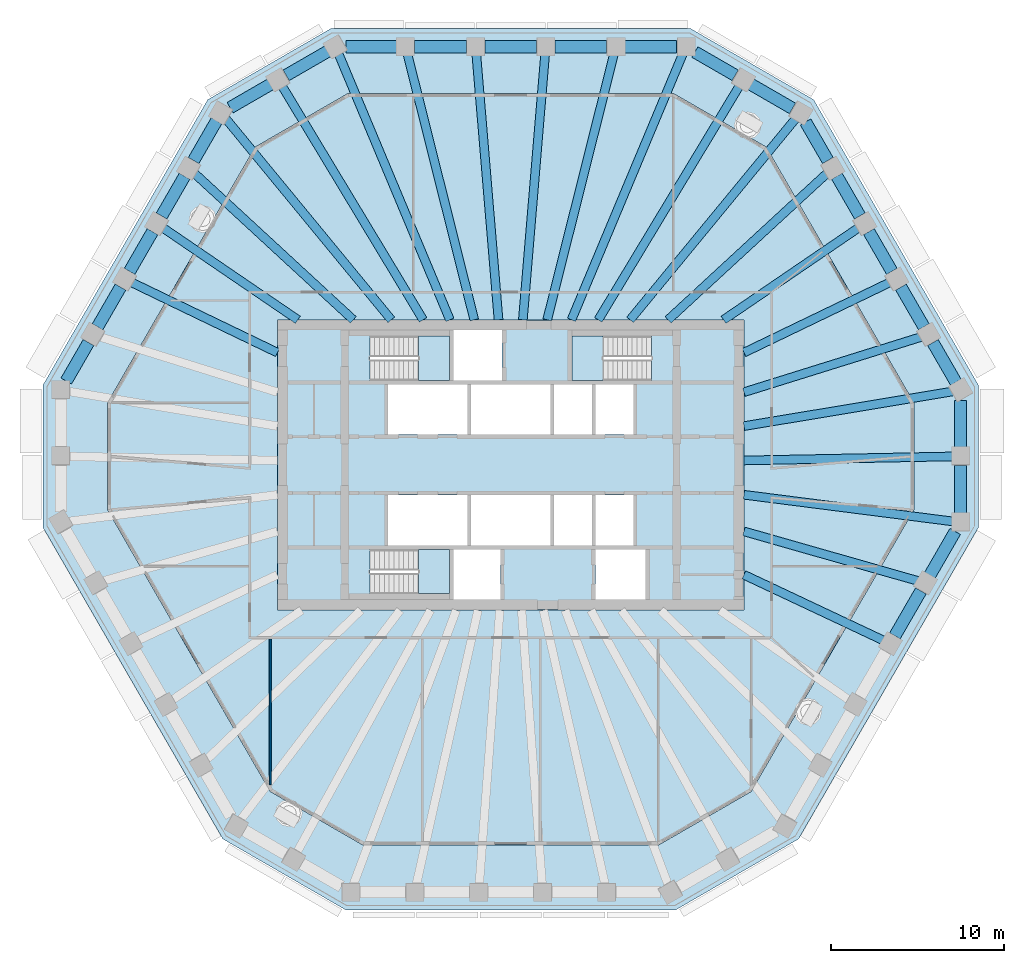
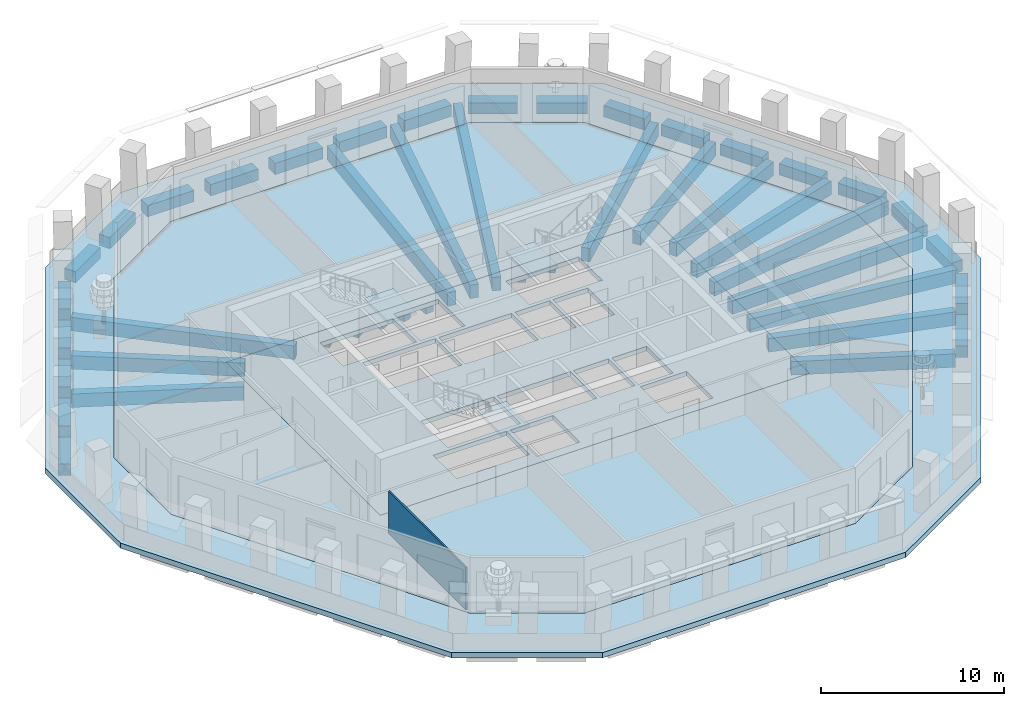
# One storey, part 2 of 12: 45 beams, 6 slabs, 1 wall, 3 elements without a shape of their own.
"""IFC4 building model written with IfcOpenShell, lengths in metres."""

from ifc_helpers import new_model, si_unit, direction, frame, frame_2d, origin, origin_2d, place, context, subcontext, project, spatial, polyline, rectangle, outline, extrude, material, layer, layer_set, material_profile, profile_set, type_object, element, aggregate, save


model = new_model("IFC4")

# Units and contexts
model_context = context("Model", 3, precision=1e-05, world=origin(), true_north=direction((0.0, 1.0)))
body_context = subcontext(model_context, "Body", "Model", "MODEL_VIEW")
ifc_project = project(units=[si_unit("LENGTHUNIT", "METRE"), si_unit("AREAUNIT", "SQUARE_METRE"), si_unit("VOLUMEUNIT", "CUBIC_METRE"), si_unit("PLANEANGLEUNIT", "RADIAN"), si_unit("MASSUNIT", "GRAM", prefix="KILO")], contexts=[model_context])

# Site, building, storey
site_placement = place(None, origin())
site = spatial("IfcSite", under=ifc_project, at=site_placement, CompositionType="ELEMENT")
building_placement = place(site_placement, origin())
building = spatial("IfcBuilding", under=site, at=building_placement, Name="Frailejon Research Tower", CompositionType="ELEMENT")
storey_placement = place(building_placement, frame((0.0, 0.0, 227.39990234375)))
storey = spatial("IfcBuildingStorey", under=building, at=storey_placement, Name="L49", CompositionType="ELEMENT", Elevation=227.39990234375)

# Beams
ifc_material_1 = material(Name="Concrete C60/75", Category="concrete")
ifc_material_profile_1 = material_profile(ifc_material_1, rectangle(XDim=0.5, YDim=0.89990234375, at=origin_2d()), Name="Girder 500x900")
ifc_profile_set_1 = profile_set([ifc_material_profile_1], Name="Concrete C60/75")
beam_type_1 = type_object("IfcBeamType", Name="Girder 500x900", PredefinedType="BEAM", material=ifc_profile_set_1)
beam_1_placement = place(storey_placement, frame((25.6484375, -3.27587890625, -0.75), z_axis=(-0.991940613353, 0.126703668378, 0.0), x_axis=(-0.126703668378, -0.991940613353, 0.0)))
element("IfcBeam", 1, at=beam_1_placement, inside=storey, type_object=beam_type_1, Name="Girder 500x900", PredefinedType="BEAM", context=body_context, shape_type="SweptSolid", body=[
    extrude(rectangle(XDim=0.5, YDim=0.89990234375, at=origin_2d()), origin(), (0.0, 0.0, 1.0), 12.2470703125),
])
beam_2_placement = place(storey_placement, frame((25.649658203125, 0.49560546875, -0.75), z_axis=(-0.99981321137, -0.019327244235, 0.0), x_axis=(0.019327244235, -0.99981321137, 0.0)))
element("IfcBeam", 2, at=beam_2_placement, inside=storey, type_object=beam_type_1, Name="Girder 500x900", PredefinedType="BEAM", context=body_context, shape_type="SweptSolid", body=[
    extrude(rectangle(XDim=0.5, YDim=0.89990234375, at=origin_2d()), origin(), (0.0, 0.0, 1.0), 12.15185546875),
])
beam_3_placement = place(storey_placement, frame((25.61962890625, 4.26220703125, -0.75), z_axis=(-0.986441144067, -0.164115414545, 0.0), x_axis=(0.164115414545, -0.986441144067, 0.0)))
element("IfcBeam", 3, at=beam_3_placement, inside=storey, type_object=beam_type_1, Name="Girder 500x900", PredefinedType="BEAM", context=body_context, shape_type="SweptSolid", body=[
    extrude(rectangle(XDim=0.5, YDim=0.89990234375, at=origin_2d()), origin(), (0.0, 0.0, 1.0), 12.2861328125),
])
beam_4_placement = place(storey_placement, frame((23.801513671875, 7.422607421875, -0.75), z_axis=(-0.954659757219, -0.297699089596, 0.0), x_axis=(0.297699089596, -0.954659757219, 0.0)))
element("IfcBeam", 4, at=beam_4_placement, inside=storey, type_object=beam_type_1, Name="Girder 500x900", PredefinedType="BEAM", context=body_context, shape_type="SweptSolid", body=[
    extrude(rectangle(XDim=0.5, YDim=0.89990234375, at=origin_2d()), origin(), (0.0, 0.0, 1.0), 10.790771484375),
])
beam_5_placement = place(storey_placement, frame((21.98046875, 10.583740234375, -0.75), z_axis=(-0.900988902466, -0.433842134461, 0.0), x_axis=(0.433842134461, -0.900988902466, 0.0)))
element("IfcBeam", 5, at=beam_5_placement, inside=storey, type_object=beam_type_1, Name="Girder 500x900", PredefinedType="BEAM", context=body_context, shape_type="SweptSolid", body=[
    extrude(rectangle(XDim=0.5, YDim=0.89990234375, at=origin_2d()), origin(), (0.0, 0.0, 1.0), 9.412353515625),
])
beam_6_placement = place(storey_placement, frame((20.156005859375, 13.74365234375, -0.75), z_axis=(-0.826207738892, -0.563365575977, 0.0), x_axis=(0.563365575977, -0.826207738892, 0.0)))
element("IfcBeam", 6, at=beam_6_placement, inside=storey, type_object=beam_type_1, Name="Girder 500x900", PredefinedType="BEAM", context=body_context, shape_type="SweptSolid", body=[
    extrude(rectangle(XDim=0.5, YDim=0.89990234375, at=origin_2d()), origin(), (0.0, 0.0, 1.0), 9.4853515625),
])
beam_7_placement = place(storey_placement, frame((18.3291015625, 16.9013671875, -0.75), z_axis=(-0.735154135937, -0.67789998998, 0.0), x_axis=(0.67789998998, -0.735154135937, 0.0)))
element("IfcBeam", 7, at=beam_7_placement, inside=storey, type_object=beam_type_1, Name="Girder 500x900", PredefinedType="BEAM", context=body_context, shape_type="SweptSolid", body=[
    extrude(rectangle(XDim=0.5, YDim=0.89990234375, at=origin_2d()), origin(), (0.0, 0.0, 1.0), 12.540771484375),
])
beam_8_placement = place(storey_placement, frame((16.51904296875, 20.078125, -0.75), z_axis=(-0.635344460141, -0.772228863076, 0.0), x_axis=(0.772228863076, -0.635344460141, 0.0)))
element("IfcBeam", 8, at=beam_8_placement, inside=storey, type_object=beam_type_1, Name="Girder 500x900", PredefinedType="BEAM", context=body_context, shape_type="SweptSolid", body=[
    extrude(rectangle(XDim=0.5, YDim=0.89990234375, at=origin_2d()), origin(), (0.0, 0.0, 1.0), 15.122802734375),
])
beam_9_placement = place(storey_placement, frame((13.25390625, 21.96533203125, -0.75), z_axis=(-0.516631079551, -0.856208110007, 0.0), x_axis=(0.856208110007, -0.516631079551, 0.0)))
element("IfcBeam", 9, at=beam_9_placement, inside=storey, type_object=beam_type_1, Name="Girder 500x900", PredefinedType="BEAM", context=body_context, shape_type="SweptSolid", body=[
    extrude(rectangle(XDim=0.5, YDim=0.89990234375, at=origin_2d()), origin(), (0.0, 0.0, 1.0), 15.843505859375),
])
beam_10_placement = place(storey_placement, frame((9.971923828125, 23.8134765625, -0.75), z_axis=(-0.386247657916, -0.922395114229, 0.0), x_axis=(0.922395114229, -0.386247657916, 0.0)))
element("IfcBeam", 10, at=beam_10_placement, inside=storey, type_object=beam_type_1, Name="Girder 500x900", PredefinedType="BEAM", context=body_context, shape_type="SweptSolid", body=[
    extrude(rectangle(XDim=0.5, YDim=0.89990234375, at=origin_2d()), origin(), (0.0, 0.0, 1.0), 16.71044921875),
])
beam_11_placement = place(storey_placement, frame((5.98486328125, 23.820556640625, -0.75), z_axis=(-0.243666300671, -0.969859130966, 0.0), x_axis=(0.969859130966, -0.243666300671, 0.0)))
element("IfcBeam", 11, at=beam_11_placement, inside=storey, type_object=beam_type_1, Name="Girder 500x900", PredefinedType="BEAM", context=body_context, shape_type="SweptSolid", body=[
    extrude(rectangle(XDim=0.5, YDim=0.89990234375, at=origin_2d()), origin(), (0.0, 0.0, 1.0), 15.89990234375),
])
for number, where, z_axis, x_axis, name in (
    (12, (1.995361328125, 23.824462890625, -0.75), (-0.08345404356, -0.996511626933, 0.0), (0.996511626933, -0.08345404356, 0.0), "Girder 500x900"),
    (13, (-1.995361328125, 23.824462890625, -0.75), (0.08345404356, -0.996511626933, 0.0), (0.996511626933, 0.08345404356, 0.0), "Girder 500x900"),
):
    element("IfcBeam", number, at=place(storey_placement, frame(where, z_axis=z_axis, x_axis=x_axis)), inside=storey, type_object=beam_type_1, Name=name, PredefinedType="BEAM", context=body_context, shape_type="SweptSolid", body=[
        extrude(rectangle(XDim=0.5, YDim=0.89990234375, at=origin_2d()), origin(), (0.0, 0.0, 1.0), 15.478515625),
    ])
beam_12_placement = place(storey_placement, frame((-5.98486328125, 23.820556640625, -0.75), z_axis=(0.243666300671, -0.969859130966, 0.0), x_axis=(0.969859130966, 0.243666300671, 0.0)))
element("IfcBeam", 14, at=beam_12_placement, inside=storey, type_object=beam_type_1, Name="Girder 500x900", PredefinedType="BEAM", context=body_context, shape_type="SweptSolid", body=[
    extrude(rectangle(XDim=0.5, YDim=0.89990234375, at=origin_2d()), origin(), (0.0, 0.0, 1.0), 15.89990234375),
])
beam_13_placement = place(storey_placement, frame((-9.9873046875, 23.85009765625, -0.75), z_axis=(0.386249993782, -0.922394136095, 0.0), x_axis=(0.922394136095, 0.386249993782, 0.0)))
element("IfcBeam", 15, at=beam_13_placement, inside=storey, type_object=beam_type_1, Name="Girder 500x900", PredefinedType="BEAM", context=body_context, shape_type="SweptSolid", body=[
    extrude(rectangle(XDim=0.5, YDim=0.89990234375, at=origin_2d()), origin(), (0.0, 0.0, 1.0), 16.75),
])
beam_14_placement = place(storey_placement, frame((-13.25390625, 21.96533203125, -0.75), z_axis=(0.516631079551, -0.856208110007, 0.0), x_axis=(0.856208110007, 0.516631079551, 0.0)))
element("IfcBeam", 16, at=beam_14_placement, inside=storey, type_object=beam_type_1, Name="Girder 500x900", PredefinedType="BEAM", context=body_context, shape_type="SweptSolid", body=[
    extrude(rectangle(XDim=0.5, YDim=0.89990234375, at=origin_2d()), origin(), (0.0, 0.0, 1.0), 15.843505859375),
])
beam_15_placement = place(storey_placement, frame((-16.5009765625, 20.05615234375, -0.75), z_axis=(0.63534491061, -0.772228492456, 0.0), x_axis=(0.772228492456, 0.63534491061, 0.0)))
element("IfcBeam", 17, at=beam_15_placement, inside=storey, type_object=beam_type_1, Name="Girder 500x900", PredefinedType="BEAM", context=body_context, shape_type="SweptSolid", body=[
    extrude(rectangle(XDim=0.5, YDim=0.89990234375, at=origin_2d()), origin(), (0.0, 0.0, 1.0), 15.09423828125),
])
beam_16_placement = place(storey_placement, frame((-18.3291015625, 16.9013671875, -0.75), z_axis=(0.735154135937, -0.67789998998, 0.0), x_axis=(0.67789998998, 0.735154135937, 0.0)))
element("IfcBeam", 18, at=beam_16_placement, inside=storey, type_object=beam_type_1, Name="Girder 500x900", PredefinedType="BEAM", context=body_context, shape_type="SweptSolid", body=[
    extrude(rectangle(XDim=0.5, YDim=0.89990234375, at=origin_2d()), origin(), (0.0, 0.0, 1.0), 12.540771484375),
])
beam_17_placement = place(storey_placement, frame((-20.156005859375, 13.74365234375, -0.75), z_axis=(0.826207738892, -0.563365575977, 0.0), x_axis=(0.563365575977, 0.826207738892, 0.0)))
element("IfcBeam", 19, at=beam_17_placement, inside=storey, type_object=beam_type_1, Name="Girder 500x900", PredefinedType="BEAM", context=body_context, shape_type="SweptSolid", body=[
    extrude(rectangle(XDim=0.5, YDim=0.89990234375, at=origin_2d()), origin(), (0.0, 0.0, 1.0), 9.4853515625),
])
beam_18_placement = place(storey_placement, frame((-21.98046875, 10.583740234375, -0.75), z_axis=(0.900988902466, -0.433842134461, 0.0), x_axis=(0.433842134461, 0.900988902466, 0.0)))
element("IfcBeam", 20, at=beam_18_placement, inside=storey, type_object=beam_type_1, Name="Girder 500x900", PredefinedType="BEAM", context=body_context, shape_type="SweptSolid", body=[
    extrude(rectangle(XDim=0.5, YDim=0.89990234375, at=origin_2d()), origin(), (0.0, 0.0, 1.0), 9.412353515625),
])
beam_19_placement = place(storey_placement, frame((21.63037109375, -10.184326171875, -0.75), z_axis=(-0.904730022845, 0.42598542905, 0.0), x_axis=(-0.42598542905, -0.904730022845, 0.0)))
element("IfcBeam", 21, at=beam_19_placement, inside=storey, type_object=beam_type_1, Name="Girder 500x900", PredefinedType="BEAM", context=body_context, shape_type="SweptSolid", body=[
    extrude(rectangle(XDim=0.5, YDim=0.89990234375, at=origin_2d()), origin(), (0.0, 0.0, 1.0), 8.986572265625),
])
beam_20_placement = place(storey_placement, frame((23.62158203125, -6.72705078125, -0.75), z_axis=(-0.961757333984, 0.273902958231, 0.0), x_axis=(-0.273902958231, -0.961757333984, 0.0)))
element("IfcBeam", 22, at=beam_20_placement, inside=storey, type_object=beam_type_1, Name="Girder 500x900", PredefinedType="BEAM", context=body_context, shape_type="SweptSolid", body=[
    extrude(rectangle(XDim=0.5, YDim=0.89990234375, at=origin_2d()), origin(), (0.0, 0.0, 1.0), 10.524169921875),
])
ifc_material_2 = material(Name="Concrete C60/75", Category="concrete")
ifc_material_profile_2 = material_profile(ifc_material_2, rectangle(XDim=0.699951171875, YDim=0.75, at=origin_2d()), Name="Spandrel 700x750")
ifc_profile_set_2 = profile_set([ifc_material_profile_2], Name="Concrete C60/75")
beam_type_2 = type_object("IfcBeamType", Name="Spandrel 700x750", PredefinedType="BEAM", material=ifc_profile_set_2)
beam_21_placement = place(storey_placement, frame((26.024658203125, -2.798828125, -0.724853515625), z_axis=(0.0, 1.0, 0.0), x_axis=(-1.0, 0.0, 0.0)))
element("IfcBeam", 23, at=beam_21_placement, inside=storey, type_object=beam_type_2, Name="Spandrel 700x750", PredefinedType="BEAM", context=body_context, shape_type="SweptSolid", body=[
    extrude(rectangle(XDim=0.699951171875, YDim=0.75, at=origin_2d()), origin(), (0.0, 0.0, 1.0), 2.776611328125),
])
beam_22_placement = place(storey_placement, frame((26.024658203125, 1.02783203125, -0.724853515625), z_axis=(0.0, 1.0, 0.0), x_axis=(-1.0, 0.0, 0.0)))
element("IfcBeam", 24, at=beam_22_placement, inside=storey, type_object=beam_type_2, Name="Spandrel 700x750", PredefinedType="BEAM", context=body_context, shape_type="SweptSolid", body=[
    extrude(rectangle(XDim=0.699951171875, YDim=0.75, at=origin_2d()), origin(), (0.0, 0.0, 1.0), 2.695556640625),
])
for number, where, z_axis, x_axis, name in (
    (25, (25.76220703125, 4.7841796875, -0.724853515625), (-0.500035527442, 0.866004891035, 0.0), (-0.866004891035, -0.500035527442, 0.0), "Spandrel 700x750"),
    (26, (23.90966796875, 7.992919921875, -0.724853515625), (-0.500035527442, 0.866004891035, 0.0), (-0.866004891035, -0.500035527442, 0.0), "Spandrel 700x750"),
):
    element("IfcBeam", number, at=place(storey_placement, frame(where, z_axis=z_axis, x_axis=x_axis)), inside=storey, type_object=beam_type_2, Name=name, PredefinedType="BEAM", context=body_context, shape_type="SweptSolid", body=[
        extrude(rectangle(XDim=0.699951171875, YDim=0.75, at=origin_2d()), origin(), (0.0, 0.0, 1.0), 2.655029296875),
    ])
beam_23_placement = place(storey_placement, frame((22.05712890625, 11.20166015625, -0.724853515625), z_axis=(-0.49999571177, 0.866027879581, 0.0), x_axis=(-0.866027879581, -0.49999571177, 0.0)))
element("IfcBeam", 27, at=beam_23_placement, inside=storey, type_object=beam_type_2, Name="Spandrel 700x750", PredefinedType="BEAM", context=body_context, shape_type="SweptSolid", body=[
    extrude(rectangle(XDim=0.699951171875, YDim=0.75, at=origin_2d()), origin(), (0.0, 0.0, 1.0), 2.6552734375),
])
beam_24_placement = place(storey_placement, frame((20.20458984375, 14.410400390625, -0.724853515625), z_axis=(-0.500035527442, 0.866004891035, 0.0), x_axis=(-0.866004891035, -0.500035527442, 0.0)))
element("IfcBeam", 28, at=beam_24_placement, inside=storey, type_object=beam_type_2, Name="Spandrel 700x750", PredefinedType="BEAM", context=body_context, shape_type="SweptSolid", body=[
    extrude(rectangle(XDim=0.699951171875, YDim=0.75, at=origin_2d()), origin(), (0.0, 0.0, 1.0), 2.655029296875),
])
beam_25_placement = place(storey_placement, frame((18.351806640625, 17.619140625, -0.724853515625), z_axis=(-0.499944135255, 0.866057654907, 0.0), x_axis=(-0.866057654907, -0.499944135255, 0.0)))
element("IfcBeam", 29, at=beam_25_placement, inside=storey, type_object=beam_type_2, Name="Spandrel 700x750", PredefinedType="BEAM", context=body_context, shape_type="SweptSolid", body=[
    extrude(rectangle(XDim=0.699951171875, YDim=0.75, at=origin_2d()), origin(), (0.0, 0.0, 1.0), 2.573974609375),
])
beam_26_placement = place(storey_placement, frame((16.30712890625, 20.6357421875, -0.724853515625), z_axis=(-0.865999619105, 0.500044657716, 0.0), x_axis=(-0.500044657716, -0.865999619105, 0.0)))
element("IfcBeam", 30, at=beam_26_placement, inside=storey, type_object=beam_type_2, Name="Spandrel 700x750", PredefinedType="BEAM", context=body_context, shape_type="SweptSolid", body=[
    extrude(rectangle(XDim=0.699951171875, YDim=0.75, at=origin_2d()), origin(), (0.0, 0.0, 1.0), 2.776611328125),
])
beam_27_placement = place(storey_placement, frame((12.9931640625, 22.549072265625, -0.724853515625), z_axis=(-0.866010629317, 0.500025589255, 0.0), x_axis=(-0.500025589255, -0.866010629317, 0.0)))
element("IfcBeam", 31, at=beam_27_placement, inside=storey, type_object=beam_type_2, Name="Spandrel 700x750", PredefinedType="BEAM", context=body_context, shape_type="SweptSolid", body=[
    extrude(rectangle(XDim=0.699951171875, YDim=0.75, at=origin_2d()), origin(), (0.0, 0.0, 1.0), 2.695556640625),
])
for number, where, z_axis, x_axis, name in (
    (32, (9.60888671875, 24.199951171875, -0.724853515625), (-1.0, 0.0, 0.0), (0.0, -1.0, 0.0), "Spandrel 700x750"),
    (33, (5.555419921875, 24.199951171875, -0.724853515625), (-1.0, 0.0, 0.0), (0.0, -1.0, 0.0), "Spandrel 700x750"),
):
    element("IfcBeam", number, at=place(storey_placement, frame(where, z_axis=z_axis, x_axis=x_axis)), inside=storey, type_object=beam_type_2, Name=name, PredefinedType="BEAM", context=body_context, shape_type="SweptSolid", body=[
        extrude(rectangle(XDim=0.699951171875, YDim=0.75, at=origin_2d()), origin(), (0.0, 0.0, 1.0), 3.003662109375),
    ])
beam_28_placement = place(storey_placement, frame((1.501708984375, 24.199951171875, -0.724853515625), z_axis=(-1.0, 0.0, 0.0), x_axis=(0.0, -1.0, 0.0)))
element("IfcBeam", 34, at=beam_28_placement, inside=storey, type_object=beam_type_2, Name="Spandrel 700x750", PredefinedType="BEAM", context=body_context, shape_type="SweptSolid", body=[
    extrude(rectangle(XDim=0.699951171875, YDim=0.75, at=origin_2d()), origin(), (0.0, 0.0, 1.0), 3.00341796875),
])
beam_29_placement = place(storey_placement, frame((-2.5517578125, 24.199951171875, -0.724853515625), z_axis=(-1.0, 0.0, 0.0), x_axis=(0.0, -1.0, 0.0)))
element("IfcBeam", 35, at=beam_29_placement, inside=storey, type_object=beam_type_2, Name="Spandrel 700x750", PredefinedType="BEAM", context=body_context, shape_type="SweptSolid", body=[
    extrude(rectangle(XDim=0.699951171875, YDim=0.75, at=origin_2d()), origin(), (0.0, 0.0, 1.0), 3.003662109375),
])
beam_30_placement = place(storey_placement, frame((-6.605224609375, 24.199951171875, -0.724853515625), z_axis=(-1.0, 0.0, 0.0), x_axis=(0.0, -1.0, 0.0)))
element("IfcBeam", 36, at=beam_30_placement, inside=storey, type_object=beam_type_2, Name="Spandrel 700x750", PredefinedType="BEAM", context=body_context, shape_type="SweptSolid", body=[
    extrude(rectangle(XDim=0.699951171875, YDim=0.75, at=origin_2d()), origin(), (0.0, 0.0, 1.0), 2.92236328125),
])
beam_31_placement = place(storey_placement, frame((-10.58837890625, 23.9375, -0.724853515625), z_axis=(-0.866021602438, -0.500006584067, 0.0), x_axis=(0.500006584067, -0.866021602438, 0.0)))
element("IfcBeam", 37, at=beam_31_placement, inside=storey, type_object=beam_type_2, Name="Spandrel 700x750", PredefinedType="BEAM", context=body_context, shape_type="SweptSolid", body=[
    extrude(rectangle(XDim=0.699951171875, YDim=0.75, at=origin_2d()), origin(), (0.0, 0.0, 1.0), 2.77685546875),
])
beam_32_placement = place(storey_placement, frame((-13.902587890625, 22.024169921875, -0.724853515625), z_axis=(-0.866027204995, -0.499996880198, 0.0), x_axis=(0.499996880198, -0.866027204995, 0.0)))
element("IfcBeam", 38, at=beam_32_placement, inside=storey, type_object=beam_type_2, Name="Spandrel 700x750", PredefinedType="BEAM", context=body_context, shape_type="SweptSolid", body=[
    extrude(rectangle(XDim=0.699951171875, YDim=0.75, at=origin_2d()), origin(), (0.0, 0.0, 1.0), 2.6953125),
])
beam_33_placement = place(storey_placement, frame((-17.0244140625, 19.918701171875, -0.724853515625), z_axis=(-0.499926748036, -0.866067691695, 0.0), x_axis=(0.866067691695, -0.499926748036, 0.0)))
element("IfcBeam", 39, at=beam_33_placement, inside=storey, type_object=beam_type_2, Name="Spandrel 700x750", PredefinedType="BEAM", context=body_context, shape_type="SweptSolid", body=[
    extrude(rectangle(XDim=0.699951171875, YDim=0.75, at=origin_2d()), origin(), (0.0, 0.0, 1.0), 2.6552734375),
])
beam_34_placement = place(storey_placement, frame((-18.876953125, 16.709716796875, -0.724853515625), z_axis=(-0.500035527442, -0.866004891035, 0.0), x_axis=(0.866004891035, -0.500035527442, 0.0)))
element("IfcBeam", 40, at=beam_34_placement, inside=storey, type_object=beam_type_2, Name="Spandrel 700x750", PredefinedType="BEAM", context=body_context, shape_type="SweptSolid", body=[
    extrude(rectangle(XDim=0.699951171875, YDim=0.75, at=origin_2d()), origin(), (0.0, 0.0, 1.0), 2.655029296875),
])
beam_35_placement = place(storey_placement, frame((-20.7294921875, 13.501220703125, -0.724853515625), z_axis=(-0.49999571177, -0.866027879581, 0.0), x_axis=(0.866027879581, -0.49999571177, 0.0)))
element("IfcBeam", 41, at=beam_35_placement, inside=storey, type_object=beam_type_2, Name="Spandrel 700x750", PredefinedType="BEAM", context=body_context, shape_type="SweptSolid", body=[
    extrude(rectangle(XDim=0.699951171875, YDim=0.75, at=origin_2d()), origin(), (0.0, 0.0, 1.0), 2.6552734375),
])
beam_36_placement = place(storey_placement, frame((-22.58203125, 10.292236328125, -0.724853515625), z_axis=(-0.500035527442, -0.866004891035, 0.0), x_axis=(0.866004891035, -0.500035527442, 0.0)))
element("IfcBeam", 42, at=beam_36_placement, inside=storey, type_object=beam_type_2, Name="Spandrel 700x750", PredefinedType="BEAM", context=body_context, shape_type="SweptSolid", body=[
    extrude(rectangle(XDim=0.699951171875, YDim=0.75, at=origin_2d()), origin(), (0.0, 0.0, 1.0), 2.655029296875),
])
beam_37_placement = place(storey_placement, frame((-24.4345703125, 7.08349609375, -0.724853515625), z_axis=(-0.500056343656, -0.865992871316, 0.0), x_axis=(0.865992871316, -0.500056343656, 0.0)))
element("IfcBeam", 43, at=beam_37_placement, inside=storey, type_object=beam_type_2, Name="Spandrel 700x750", PredefinedType="BEAM", context=body_context, shape_type="SweptSolid", body=[
    extrude(rectangle(XDim=0.699951171875, YDim=0.75, at=origin_2d()), origin(), (0.0, 0.0, 1.0), 2.573974609375),
])
beam_38_placement = place(storey_placement, frame((22.233642578125, -9.89013671875, -0.724853515625), z_axis=(0.499994527285, 0.866028563435, 0.0), x_axis=(-0.866028563435, 0.499994527285, 0.0)))
element("IfcBeam", 44, at=beam_38_placement, inside=storey, type_object=beam_type_2, Name="Spandrel 700x750", PredefinedType="BEAM", context=body_context, shape_type="SweptSolid", body=[
    extrude(rectangle(XDim=0.699951171875, YDim=0.75, at=origin_2d()), origin(), (0.0, 0.0, 1.0), 3.00341796875),
])
beam_39_placement = place(storey_placement, frame((24.260498046875, -6.379638671875, -0.724853515625), z_axis=(0.500011723887, 0.866018634889, 0.0), x_axis=(-0.866018634889, 0.500011723887, 0.0)))
element("IfcBeam", 45, at=beam_39_placement, inside=storey, type_object=beam_type_2, Name="Spandrel 700x750", PredefinedType="BEAM", context=body_context, shape_type="SweptSolid", body=[
    extrude(rectangle(XDim=0.699951171875, YDim=0.75, at=origin_2d()), origin(), (0.0, 0.0, 1.0), 2.92236328125),
])

# Slabs
ifc_material_3 = material(Name="Concrete C60/75", Category="concrete")
ifc_layer_1 = layer(ifc_material_3, 0.300048828125)
ifc_layer_set_1 = layer_set([ifc_layer_1], Name="Core floor slab 300 C60/75")
slab_type_1 = type_object("IfcSlabType", Name="Core floor slab 300 C60/75", PredefinedType="FLOOR", material=ifc_layer_set_1)
slab_1_placement = place(storey_placement, frame((0.0, 0.0, -0.2998046875)))
element("IfcSlab", 46, at=slab_1_placement, inside=storey, type_object=slab_type_1, Name="Core floor slab", PredefinedType="FLOOR", context=body_context, shape_type="SweptSolid", body=[
    extrude(outline(polyline([(13.5, -8.39990234375), (13.5, 8.39990234375), (-13.5, 8.39990234375), (-13.5, -8.39990234375), (13.5, -8.39990234375)]), holes=[polyline([(-2.5, 1.75), (-2.5, 4.64990234375), (-7.10009765625, 4.64990234375), (-7.10009765625, 1.75), (-2.5, 1.75)]), polyline([(2.300048828125, 1.75), (2.300048828125, 4.64990234375), (-2.300048828125, 4.64990234375), (-2.300048828125, 1.75), (2.300048828125, 1.75)]), polyline([(4.699951171875, 1.75), (4.699951171875, 4.64990234375), (2.5, 4.64990234375), (2.5, 1.75), (4.699951171875, 1.75)]), polyline([(7.10009765625, 1.75), (7.10009765625, 4.64990234375), (4.89990234375, 4.64990234375), (4.89990234375, 1.75), (7.10009765625, 1.75)]), polyline([(-2.5, -4.64990234375), (-2.5, -1.75), (-7.10009765625, -1.75), (-7.10009765625, -4.64990234375), (-2.5, -4.64990234375)]), polyline([(2.300048828125, -4.64990234375), (2.300048828125, -1.75), (-2.300048828125, -1.75), (-2.300048828125, -4.64990234375), (2.300048828125, -4.64990234375)]), polyline([(4.699951171875, -4.64990234375), (4.699951171875, -1.75), (2.5, -1.75), (2.5, -4.64990234375), (4.699951171875, -4.64990234375)]), polyline([(7.10009765625, -4.64990234375), (7.10009765625, -1.75), (4.89990234375, -1.75), (4.89990234375, -4.64990234375), (7.10009765625, -4.64990234375)]), polyline([(-8.14697265625, 4.89990234375), (-3.550048828125, 4.89990234375), (-3.550048828125, 7.449951171875), (-8.14697265625, 7.449951171875), (-8.14697265625, 4.89990234375)]), polyline([(-8.14697265625, -7.449951171875), (-3.550048828125, -7.449951171875), (-3.550048828125, -4.89990234375), (-8.14697265625, -4.89990234375), (-8.14697265625, -7.449951171875)]), polyline([(8.14697265625, 7.449951171875), (3.550048828125, 7.449951171875), (3.550048828125, 4.89990234375), (8.14697265625, 4.89990234375), (8.14697265625, 7.449951171875)]), polyline([(-0.60009765625, -7.800048828125), (-0.60009765625, -4.89990234375), (-3.300048828125, -4.89990234375), (-3.300048828125, -7.800048828125), (-0.60009765625, -7.800048828125)]), polyline([(7.800048828125, -7.800048828125), (7.800048828125, -4.89990234375), (4.89990234375, -4.89990234375), (4.89990234375, -7.800048828125), (7.800048828125, -7.800048828125)]), polyline([(-0.5, 4.89990234375), (-0.5, 7.800048828125), (-3.300048828125, 7.800048828125), (-3.300048828125, 4.89990234375), (-0.5, 4.89990234375)])]), origin(), (0.0, 0.0, 1.0), 0.2998046875),
])
ifc_material_4 = material(Name="Concrete C40/50", Category="concrete")
ifc_layer_2 = layer(ifc_material_4, 0.35009765625)
ifc_layer_set_2 = layer_set([ifc_layer_2], Name="Loggia slab 350")
slab_type_2 = type_object("IfcSlabType", Name="Loggia slab 350", PredefinedType="USERDEFINED", material=ifc_layer_set_2)
slab_2_placement = place(storey_placement, frame((0.0, 0.0, -0.349853515625)))
element("IfcSlab", 47, at=slab_2_placement, inside=storey, type_object=slab_type_2, Name="Loggia slab L49", ObjectType="LOGGIA", PredefinedType="USERDEFINED", context=body_context, shape_type="SweptSolid", body=[
    extrude(outline(polyline([(16.65966796875, -21.644775390625), (9.544189453125, -25.752685546875), (-9.544189453125, -25.752685546875), (-16.65966796875, -21.644775390625), (-27.07470703125, -3.605224609375), (-27.07470703125, 4.61083984375), (-17.530517578125, 21.141845703125), (-10.4150390625, 25.25), (10.4150390625, 25.25), (17.530517578125, 21.141845703125), (27.07470703125, 4.61083984375), (27.07470703125, -3.605224609375), (16.65966796875, -21.644775390625)]), holes=[polyline([(23.32470703125, 3.606201171875), (14.785400390625, 18.396728515625), (9.410400390625, 21.5), (-9.410400390625, 21.5), (-14.785400390625, 18.396728515625), (-23.32470703125, 3.606201171875), (-23.32470703125, -2.600341796875), (-13.914306640625, -18.899658203125), (-8.539306640625, -22.002685546875), (8.539306640625, -22.002685546875), (13.914306640625, -18.899658203125), (23.32470703125, -2.600341796875), (23.32470703125, 3.606201171875)])]), origin(), (0.0, 0.0, 1.0), 0.349853515625),
])
ifc_material_5 = material(Name="Concrete C40/50", Category="concrete")
ifc_layer_3 = layer(ifc_material_5, 0.300048828125)
ifc_layer_set_3 = layer_set([ifc_layer_3], Name="Slab typical 300")
slab_type_3 = type_object("IfcSlabType", Name="Slab typical 300", PredefinedType="FLOOR", material=ifc_layer_set_3)
slab_3_placement = place(storey_placement, frame((0.0, 0.0, -0.2998046875)))
element("IfcSlab", 48, at=slab_3_placement, inside=storey, type_object=slab_type_3, Name="Floor slab L49", PredefinedType="FLOOR", context=body_context, shape_type="SweptSolid", body=[
    extrude(outline(polyline([(23.32470703125, -2.600341796875), (23.32470703125, 3.606201171875), (14.785400390625, 18.396728515625), (9.410400390625, 21.5), (-9.410400390625, 21.5), (-14.785400390625, 18.396728515625), (-23.32470703125, 3.606201171875), (-23.32470703125, -2.600341796875), (-13.914306640625, -18.899658203125), (-8.539306640625, -22.002685546875), (8.539306640625, -22.002685546875), (13.914306640625, -18.899658203125), (23.32470703125, -2.600341796875)]), holes=[polyline([(13.5, -8.39990234375), (-13.5, -8.39990234375), (-13.5, 8.39990234375), (13.5, 8.39990234375), (13.5, -8.39990234375)])]), origin(), (0.0, 0.0, 1.0), 0.2998046875),
])

# Stair, slab
ifc_material_6 = material(Name="Concrete C50/60", Category="concrete")
stair_type = type_object("IfcStairType", Name="Exit stair 22 risers", PredefinedType="HALF_TURN_STAIR", material=ifc_material_6)
stair_1_placement = place(storey_placement, origin())
stair_1 = element("IfcStair", 49, at=stair_1_placement, inside=storey, type_object=stair_type, Name="L49 Exit stair ST1", PredefinedType="HALF_TURN_STAIR")
ifc_material_7 = material(Name="Concrete C50/60", Category="concrete")
ifc_layer_4 = layer(ifc_material_7, 0.199951171875)
ifc_layer_set_4 = layer_set([ifc_layer_4], Name="Stair landing slab 200")
slab_type_4 = type_object("IfcSlabType", Name="Stair landing slab 200", PredefinedType="LANDING", material=ifc_layer_set_4)
slab_4_placement = place(storey_placement, frame((0.0, 0.0, 1.800048828125)))
slab_4 = element("IfcSlab", 50, at=slab_4_placement, type_object=slab_type_4, Name="ST1 landing 1", PredefinedType="LANDING", context=body_context, shape_type="SweptSolid", body=[
    extrude(outline(polyline([(-5.35009765625, 4.89990234375), (-3.550048828125, 4.89990234375), (-3.550048828125, 7.449951171875), (-5.35009765625, 7.449951171875), (-5.35009765625, 4.89990234375)])), origin(), (0.0, 0.0, 1.0), 0.199951171875),
])
aggregate(stair_1, [slab_4])

stair_2_placement = place(storey_placement, origin())
stair_2 = element("IfcStair", 51, at=stair_2_placement, inside=storey, type_object=stair_type, Name="L49 Exit stair ST2", PredefinedType="HALF_TURN_STAIR")
slab_5_placement = place(storey_placement, frame((0.0, 0.0, 1.800048828125)))
slab_5 = element("IfcSlab", 52, at=slab_5_placement, type_object=slab_type_4, Name="ST2 landing 1", PredefinedType="LANDING", context=body_context, shape_type="SweptSolid", body=[
    extrude(outline(polyline([(-5.35009765625, -7.449951171875), (-3.550048828125, -7.449951171875), (-3.550048828125, -4.89990234375), (-5.35009765625, -4.89990234375), (-5.35009765625, -7.449951171875)])), origin(), (0.0, 0.0, 1.0), 0.199951171875),
])
aggregate(stair_2, [slab_5])

stair_3_placement = place(storey_placement, origin())
stair_3 = element("IfcStair", 53, at=stair_3_placement, inside=storey, type_object=stair_type, Name="L49 Exit stair ST3", PredefinedType="HALF_TURN_STAIR")
slab_6_placement = place(storey_placement, frame((0.0, 0.0, 1.800048828125)))
slab_6 = element("IfcSlab", 54, at=slab_6_placement, type_object=slab_type_4, Name="ST3 landing 1", PredefinedType="LANDING", context=body_context, shape_type="SweptSolid", body=[
    extrude(outline(polyline([(5.35009765625, 7.449951171875), (3.550048828125, 7.449951171875), (3.550048828125, 4.89990234375), (5.35009765625, 4.89990234375), (5.35009765625, 7.449951171875)])), origin(), (0.0, 0.0, 1.0), 0.199951171875),
])
aggregate(stair_3, [slab_6])

# Wall
ifc_material_8 = material(Name="Gypsum board and masonry partition", Category="masonry")
ifc_layer_5 = layer(ifc_material_8, 0.10009765625)
ifc_layer_set_5 = layer_set([ifc_layer_5], Name="Partition, gypsum on steel studs 100")
wall_type = type_object("IfcWallType", Name="Partition, gypsum on steel studs 100", PredefinedType="PARTITIONING", material=ifc_layer_set_5)
wall_placement = place(storey_placement, frame((-13.914306640625, -18.49951171875, 0.0), z_axis=(0.0, 0.0, 1.0), x_axis=(0.0, 1.0, 0.0)))
element("IfcWall", 55, at=wall_placement, inside=storey, type_object=wall_type, Name="T:IW:L49:020", PredefinedType="PARTITIONING", context=body_context, shape_type="SweptSolid", body=[
    extrude(rectangle(XDim=8.424560546875, YDim=0.10009765625, at=frame_2d((4.21240234375, 0.0))), origin(), (0.0, 0.0, 1.0), 2.800048828125),
])

save(model, "model.ifc")
